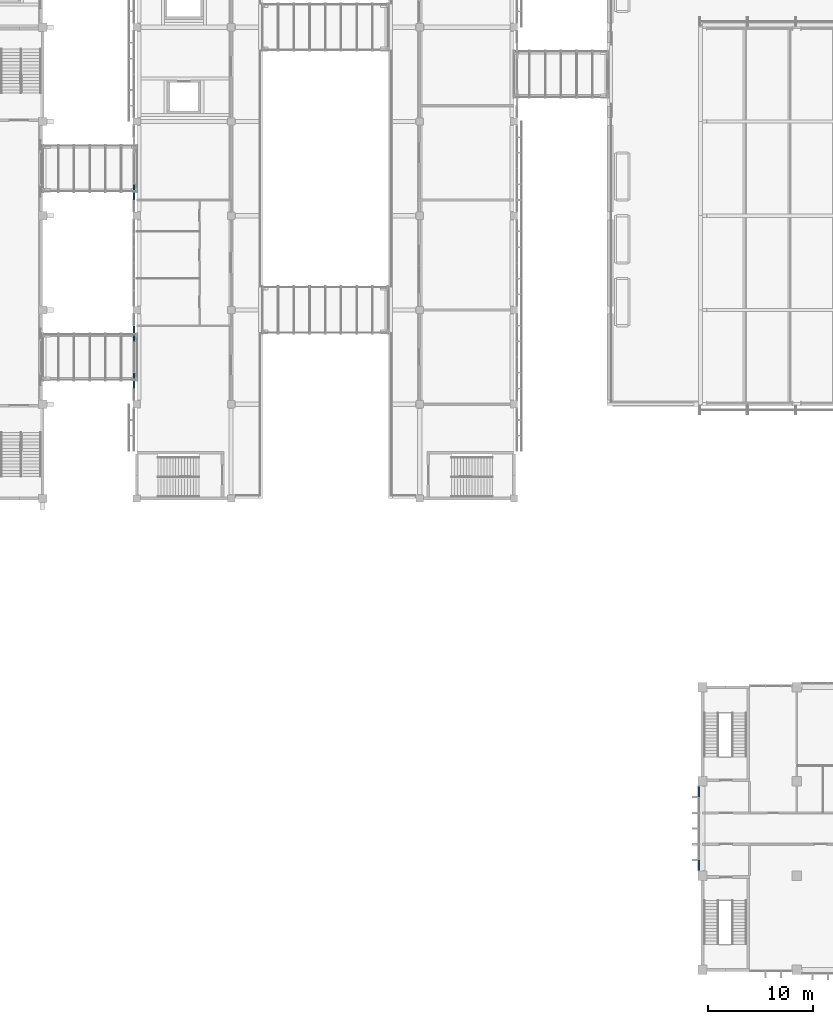
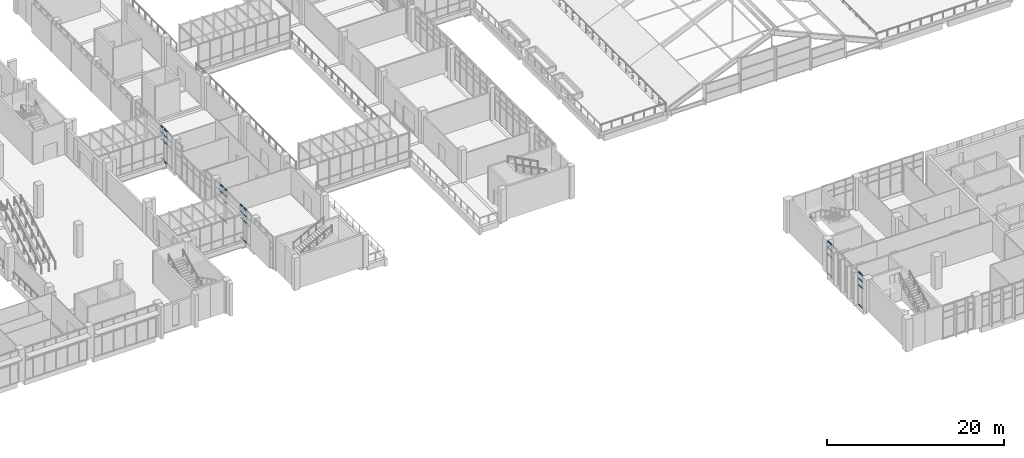
# One storey, part 47 of 106: 32 members, 6 elements without a shape of their own.
"""IFC4 building model written with IfcOpenShell, lengths in metres."""

from ifc_helpers import new_model, si_unit, direction, frame, origin, origin_2d, place, context, subcontext, project, spatial, rectangle, extrude, material, layer, layer_set, material_profile, profile_set, type_object, element, aggregate, save


model = new_model("IFC4")

# Units and contexts
model_context = context("Model", 3, precision=1e-05, world=origin(), true_north=direction((0.0, 1.0)))
body_context = subcontext(model_context, "Body", "Model", "MODEL_VIEW")
ifc_project = project(units=[si_unit("LENGTHUNIT", "METRE"), si_unit("AREAUNIT", "SQUARE_METRE"), si_unit("VOLUMEUNIT", "CUBIC_METRE"), si_unit("PLANEANGLEUNIT", "RADIAN"), si_unit("MASSUNIT", "GRAM", prefix="KILO")], contexts=[model_context])

# Site, building, storey
site_placement = place(None, origin())
site = spatial("IfcSite", under=ifc_project, at=site_placement, CompositionType="ELEMENT")
building_placement = place(site_placement, origin())
building = spatial("IfcBuilding", under=site, at=building_placement, Name="Guidao Yard Department Store", CompositionType="ELEMENT")
storey_placement = place(building_placement, frame((0.0, 0.0, 10.5)))
storey = spatial("IfcBuildingStorey", under=building, at=storey_placement, Name="L02", CompositionType="ELEMENT", Elevation=10.5)

# Curtain wall, members
ifc_material_1 = material(Name="Aluminium and glass", Category="aluminium")
ifc_layer_1 = layer(ifc_material_1, 0.159912109375)
ifc_layer_set_1 = layer_set([ifc_layer_1], Name="Shopfront curtain wall CW1 1500 module")
curtain_wall_type_1 = type_object("IfcCurtainWallType", Name="Shopfront curtain wall CW1 1500 module", PredefinedType="NOTDEFINED", material=ifc_layer_set_1)
curtain_wall_1_placement = place(storey_placement, origin())
curtain_wall_1 = element("IfcCurtainWall", 1, at=curtain_wall_1_placement, inside=storey, type_object=curtain_wall_type_1, Name="Arcade shop front", PredefinedType="NOTDEFINED")
ifc_material_2 = material(Name="Aluminium 6063-T5", Category="aluminium")
ifc_material_profile = material_profile(ifc_material_2, rectangle(XDim=0.1201171875, YDim=0.06005859375, at=origin_2d()), Name="Transom T1 60 x 120 aluminium pressure plate")
ifc_profile_set = profile_set([ifc_material_profile], Name="Aluminium 6063-T5")
member_type = type_object("IfcMemberType", Name="Transom T1 60 x 120 aluminium pressure plate", PredefinedType="USERDEFINED", material=ifc_profile_set)
member_1_placement = place(storey_placement, frame((71.719970703125, 55.530029296875, 0.030029296875), z_axis=(0.0, 1.0, 0.0), x_axis=(-1.0, 0.0, 0.0)))
member_1 = element("IfcMember", 2, at=member_1_placement, type_object=member_type, Name="CW-AS-L02-02 transom 2.1", ObjectType="TRANSOM", PredefinedType="USERDEFINED", context=body_context, shape_type="SweptSolid", body=[
    extrude(rectangle(XDim=0.1201171875, YDim=0.06005859375, at=origin_2d()), origin(), (0.0, 0.0, 1.0), 0.659912109375),
])
member_2_placement = place(storey_placement, frame((71.719970703125, 55.530029296875, 2.699951171875), z_axis=(0.0, 1.0, 0.0), x_axis=(-1.0, 0.0, 0.0)))
member_2 = element("IfcMember", 3, at=member_2_placement, type_object=member_type, Name="CW-AS-L02-02 transom 2.2", ObjectType="TRANSOM", PredefinedType="USERDEFINED", context=body_context, shape_type="SweptSolid", body=[
    extrude(rectangle(XDim=0.1201171875, YDim=0.06005859375, at=origin_2d()), origin(), (0.0, 0.0, 1.0), 0.659912109375),
])
member_3_placement = place(storey_placement, frame((71.719970703125, 55.530029296875, 3.60009765625), z_axis=(0.0, 1.0, 0.0), x_axis=(-1.0, 0.0, 0.0)))
member_3 = element("IfcMember", 4, at=member_3_placement, type_object=member_type, Name="CW-AS-L02-02 transom 2.3", ObjectType="TRANSOM", PredefinedType="USERDEFINED", context=body_context, shape_type="SweptSolid", body=[
    extrude(rectangle(XDim=0.1201171875, YDim=0.06005859375, at=origin_2d()), origin(), (0.0, 0.0, 1.0), 0.659912109375),
])
member_4_placement = place(storey_placement, frame((71.719970703125, 55.530029296875, 4.469970703125), z_axis=(0.0, 1.0, 0.0), x_axis=(-1.0, 0.0, 0.0)))
member_4 = element("IfcMember", 5, at=member_4_placement, type_object=member_type, Name="CW-AS-L02-02 transom 2.4", ObjectType="TRANSOM", PredefinedType="USERDEFINED", context=body_context, shape_type="SweptSolid", body=[
    extrude(rectangle(XDim=0.1201171875, YDim=0.06005859375, at=origin_2d()), origin(), (0.0, 0.0, 1.0), 0.659912109375),
])
aggregate(curtain_wall_1, [member_1, member_2, member_3, member_4])

curtain_wall_2_placement = place(storey_placement, origin())
curtain_wall_2 = element("IfcCurtainWall", 6, at=curtain_wall_2_placement, inside=storey, type_object=curtain_wall_type_1, Name="Arcade shop front", PredefinedType="NOTDEFINED")
member_5_placement = place(storey_placement, frame((71.719970703125, 56.469970703125, 0.030029296875), z_axis=(0.0, 1.0, 0.0), x_axis=(-1.0, 0.0, 0.0)))
member_5 = element("IfcMember", 7, at=member_5_placement, type_object=member_type, Name="CW-AS-L02-03 transom 1.1", ObjectType="TRANSOM", PredefinedType="USERDEFINED", context=body_context, shape_type="SweptSolid", body=[
    extrude(rectangle(XDim=0.1201171875, YDim=0.06005859375, at=origin_2d()), origin(), (0.0, 0.0, 1.0), 0.5),
])
member_6_placement = place(storey_placement, frame((71.719970703125, 56.469970703125, 2.699951171875), z_axis=(0.0, 1.0, 0.0), x_axis=(-1.0, 0.0, 0.0)))
member_6 = element("IfcMember", 8, at=member_6_placement, type_object=member_type, Name="CW-AS-L02-03 transom 1.2", ObjectType="TRANSOM", PredefinedType="USERDEFINED", context=body_context, shape_type="SweptSolid", body=[
    extrude(rectangle(XDim=0.1201171875, YDim=0.06005859375, at=origin_2d()), origin(), (0.0, 0.0, 1.0), 0.5),
])
member_7_placement = place(storey_placement, frame((71.719970703125, 56.469970703125, 3.60009765625), z_axis=(0.0, 1.0, 0.0), x_axis=(-1.0, 0.0, 0.0)))
member_7 = element("IfcMember", 9, at=member_7_placement, type_object=member_type, Name="CW-AS-L02-03 transom 1.3", ObjectType="TRANSOM", PredefinedType="USERDEFINED", context=body_context, shape_type="SweptSolid", body=[
    extrude(rectangle(XDim=0.1201171875, YDim=0.06005859375, at=origin_2d()), origin(), (0.0, 0.0, 1.0), 0.5),
])
member_8_placement = place(storey_placement, frame((71.719970703125, 56.469970703125, 4.469970703125), z_axis=(0.0, 1.0, 0.0), x_axis=(-1.0, 0.0, 0.0)))
member_8 = element("IfcMember", 10, at=member_8_placement, type_object=member_type, Name="CW-AS-L02-03 transom 1.4", ObjectType="TRANSOM", PredefinedType="USERDEFINED", context=body_context, shape_type="SweptSolid", body=[
    extrude(rectangle(XDim=0.1201171875, YDim=0.06005859375, at=origin_2d()), origin(), (0.0, 0.0, 1.0), 0.5),
])
member_9_placement = place(storey_placement, frame((71.719970703125, 60.030029296875, 0.030029296875), z_axis=(0.0, 1.0, 0.0), x_axis=(-1.0, 0.0, 0.0)))
member_9 = element("IfcMember", 11, at=member_9_placement, type_object=member_type, Name="CW-AS-L02-03 transom 3.1", ObjectType="TRANSOM", PredefinedType="USERDEFINED", context=body_context, shape_type="SweptSolid", body=[
    extrude(rectangle(XDim=0.1201171875, YDim=0.06005859375, at=origin_2d()), origin(), (0.0, 0.0, 1.0), 0.5),
])
member_10_placement = place(storey_placement, frame((71.719970703125, 60.030029296875, 2.699951171875), z_axis=(0.0, 1.0, 0.0), x_axis=(-1.0, 0.0, 0.0)))
member_10 = element("IfcMember", 12, at=member_10_placement, type_object=member_type, Name="CW-AS-L02-03 transom 3.2", ObjectType="TRANSOM", PredefinedType="USERDEFINED", context=body_context, shape_type="SweptSolid", body=[
    extrude(rectangle(XDim=0.1201171875, YDim=0.06005859375, at=origin_2d()), origin(), (0.0, 0.0, 1.0), 0.5),
])
member_11_placement = place(storey_placement, frame((71.719970703125, 60.030029296875, 3.60009765625), z_axis=(0.0, 1.0, 0.0), x_axis=(-1.0, 0.0, 0.0)))
member_11 = element("IfcMember", 13, at=member_11_placement, type_object=member_type, Name="CW-AS-L02-03 transom 3.3", ObjectType="TRANSOM", PredefinedType="USERDEFINED", context=body_context, shape_type="SweptSolid", body=[
    extrude(rectangle(XDim=0.1201171875, YDim=0.06005859375, at=origin_2d()), origin(), (0.0, 0.0, 1.0), 0.5),
])
member_12_placement = place(storey_placement, frame((71.719970703125, 60.030029296875, 4.469970703125), z_axis=(0.0, 1.0, 0.0), x_axis=(-1.0, 0.0, 0.0)))
member_12 = element("IfcMember", 14, at=member_12_placement, type_object=member_type, Name="CW-AS-L02-03 transom 3.4", ObjectType="TRANSOM", PredefinedType="USERDEFINED", context=body_context, shape_type="SweptSolid", body=[
    extrude(rectangle(XDim=0.1201171875, YDim=0.06005859375, at=origin_2d()), origin(), (0.0, 0.0, 1.0), 0.5),
])
aggregate(curtain_wall_2, [member_5, member_6, member_7, member_8, member_9, member_10, member_11, member_12])

curtain_wall_3_placement = place(storey_placement, origin())
curtain_wall_3 = element("IfcCurtainWall", 15, at=curtain_wall_3_placement, inside=storey, type_object=curtain_wall_type_1, Name="Arcade shop front", PredefinedType="NOTDEFINED")
member_13_placement = place(storey_placement, frame((71.719970703125, 60.81005859375, 0.030029296875), z_axis=(0.0, 1.0, 0.0), x_axis=(-1.0, 0.0, 0.0)))
member_13 = element("IfcMember", 16, at=member_13_placement, type_object=member_type, Name="CW-AS-L02-04 transom 1.1", ObjectType="TRANSOM", PredefinedType="USERDEFINED", context=body_context, shape_type="SweptSolid", body=[
    extrude(rectangle(XDim=0.1201171875, YDim=0.06005859375, at=origin_2d()), origin(), (0.0, 0.0, 1.0), 0.659912109375),
])
member_14_placement = place(storey_placement, frame((71.719970703125, 60.81005859375, 2.699951171875), z_axis=(0.0, 1.0, 0.0), x_axis=(-1.0, 0.0, 0.0)))
member_14 = element("IfcMember", 17, at=member_14_placement, type_object=member_type, Name="CW-AS-L02-04 transom 1.2", ObjectType="TRANSOM", PredefinedType="USERDEFINED", context=body_context, shape_type="SweptSolid", body=[
    extrude(rectangle(XDim=0.1201171875, YDim=0.06005859375, at=origin_2d()), origin(), (0.0, 0.0, 1.0), 0.659912109375),
])
member_15_placement = place(storey_placement, frame((71.719970703125, 60.81005859375, 3.60009765625), z_axis=(0.0, 1.0, 0.0), x_axis=(-1.0, 0.0, 0.0)))
member_15 = element("IfcMember", 18, at=member_15_placement, type_object=member_type, Name="CW-AS-L02-04 transom 1.3", ObjectType="TRANSOM", PredefinedType="USERDEFINED", context=body_context, shape_type="SweptSolid", body=[
    extrude(rectangle(XDim=0.1201171875, YDim=0.06005859375, at=origin_2d()), origin(), (0.0, 0.0, 1.0), 0.659912109375),
])
member_16_placement = place(storey_placement, frame((71.719970703125, 60.81005859375, 4.469970703125), z_axis=(0.0, 1.0, 0.0), x_axis=(-1.0, 0.0, 0.0)))
member_16 = element("IfcMember", 19, at=member_16_placement, type_object=member_type, Name="CW-AS-L02-04 transom 1.4", ObjectType="TRANSOM", PredefinedType="USERDEFINED", context=body_context, shape_type="SweptSolid", body=[
    extrude(rectangle(XDim=0.1201171875, YDim=0.06005859375, at=origin_2d()), origin(), (0.0, 0.0, 1.0), 0.659912109375),
])
aggregate(curtain_wall_3, [member_13, member_14, member_15, member_16])

curtain_wall_4_placement = place(storey_placement, origin())
curtain_wall_4 = element("IfcCurtainWall", 20, at=curtain_wall_4_placement, inside=storey, type_object=curtain_wall_type_1, Name="Arcade shop front", PredefinedType="NOTDEFINED")
member_17_placement = place(storey_placement, frame((71.719970703125, 73.530029296875, 0.030029296875), z_axis=(0.0, 1.0, 0.0), x_axis=(-1.0, 0.0, 0.0)))
member_17 = element("IfcMember", 21, at=member_17_placement, type_object=member_type, Name="CW-AS-L02-08 transom 2.1", ObjectType="TRANSOM", PredefinedType="USERDEFINED", context=body_context, shape_type="SweptSolid", body=[
    extrude(rectangle(XDim=0.1201171875, YDim=0.06005859375, at=origin_2d()), origin(), (0.0, 0.0, 1.0), 0.659912109375),
])
member_18_placement = place(storey_placement, frame((71.719970703125, 73.530029296875, 2.699951171875), z_axis=(0.0, 1.0, 0.0), x_axis=(-1.0, 0.0, 0.0)))
member_18 = element("IfcMember", 22, at=member_18_placement, type_object=member_type, Name="CW-AS-L02-08 transom 2.2", ObjectType="TRANSOM", PredefinedType="USERDEFINED", context=body_context, shape_type="SweptSolid", body=[
    extrude(rectangle(XDim=0.1201171875, YDim=0.06005859375, at=origin_2d()), origin(), (0.0, 0.0, 1.0), 0.659912109375),
])
member_19_placement = place(storey_placement, frame((71.719970703125, 73.530029296875, 3.60009765625), z_axis=(0.0, 1.0, 0.0), x_axis=(-1.0, 0.0, 0.0)))
member_19 = element("IfcMember", 23, at=member_19_placement, type_object=member_type, Name="CW-AS-L02-08 transom 2.3", ObjectType="TRANSOM", PredefinedType="USERDEFINED", context=body_context, shape_type="SweptSolid", body=[
    extrude(rectangle(XDim=0.1201171875, YDim=0.06005859375, at=origin_2d()), origin(), (0.0, 0.0, 1.0), 0.659912109375),
])
member_20_placement = place(storey_placement, frame((71.719970703125, 73.530029296875, 4.469970703125), z_axis=(0.0, 1.0, 0.0), x_axis=(-1.0, 0.0, 0.0)))
member_20 = element("IfcMember", 24, at=member_20_placement, type_object=member_type, Name="CW-AS-L02-08 transom 2.4", ObjectType="TRANSOM", PredefinedType="USERDEFINED", context=body_context, shape_type="SweptSolid", body=[
    extrude(rectangle(XDim=0.1201171875, YDim=0.06005859375, at=origin_2d()), origin(), (0.0, 0.0, 1.0), 0.659912109375),
])
aggregate(curtain_wall_4, [member_17, member_18, member_19, member_20])

curtain_wall_5_placement = place(storey_placement, origin())
curtain_wall_5 = element("IfcCurtainWall", 25, at=curtain_wall_5_placement, inside=storey, type_object=curtain_wall_type_1, Name="Arcade shop front", PredefinedType="NOTDEFINED")
member_21_placement = place(storey_placement, frame((71.719970703125, 74.469970703125, 0.030029296875), z_axis=(0.0, 1.0, 0.0), x_axis=(-1.0, 0.0, 0.0)))
member_21 = element("IfcMember", 26, at=member_21_placement, type_object=member_type, Name="CW-AS-L02-09 transom 1.1", ObjectType="TRANSOM", PredefinedType="USERDEFINED", context=body_context, shape_type="SweptSolid", body=[
    extrude(rectangle(XDim=0.1201171875, YDim=0.06005859375, at=origin_2d()), origin(), (0.0, 0.0, 1.0), 0.5),
])
member_22_placement = place(storey_placement, frame((71.719970703125, 74.469970703125, 2.699951171875), z_axis=(0.0, 1.0, 0.0), x_axis=(-1.0, 0.0, 0.0)))
member_22 = element("IfcMember", 27, at=member_22_placement, type_object=member_type, Name="CW-AS-L02-09 transom 1.2", ObjectType="TRANSOM", PredefinedType="USERDEFINED", context=body_context, shape_type="SweptSolid", body=[
    extrude(rectangle(XDim=0.1201171875, YDim=0.06005859375, at=origin_2d()), origin(), (0.0, 0.0, 1.0), 0.5),
])
member_23_placement = place(storey_placement, frame((71.719970703125, 74.469970703125, 3.60009765625), z_axis=(0.0, 1.0, 0.0), x_axis=(-1.0, 0.0, 0.0)))
member_23 = element("IfcMember", 28, at=member_23_placement, type_object=member_type, Name="CW-AS-L02-09 transom 1.3", ObjectType="TRANSOM", PredefinedType="USERDEFINED", context=body_context, shape_type="SweptSolid", body=[
    extrude(rectangle(XDim=0.1201171875, YDim=0.06005859375, at=origin_2d()), origin(), (0.0, 0.0, 1.0), 0.5),
])
member_24_placement = place(storey_placement, frame((71.719970703125, 74.469970703125, 4.469970703125), z_axis=(0.0, 1.0, 0.0), x_axis=(-1.0, 0.0, 0.0)))
member_24 = element("IfcMember", 29, at=member_24_placement, type_object=member_type, Name="CW-AS-L02-09 transom 1.4", ObjectType="TRANSOM", PredefinedType="USERDEFINED", context=body_context, shape_type="SweptSolid", body=[
    extrude(rectangle(XDim=0.1201171875, YDim=0.06005859375, at=origin_2d()), origin(), (0.0, 0.0, 1.0), 0.5),
])
aggregate(curtain_wall_5, [member_21, member_22, member_23, member_24])

ifc_material_3 = material(Name="Aluminium and glass", Category="aluminium")
ifc_layer_2 = layer(ifc_material_3, 0.159912109375)
ifc_layer_set_2 = layer_set([ifc_layer_2], Name="Unitised curtain wall CW4 1500 module")
curtain_wall_type_2 = type_object("IfcCurtainWallType", Name="Unitised curtain wall CW4 1500 module", PredefinedType="NOTDEFINED", material=ifc_layer_set_2)
curtain_wall_6_placement = place(storey_placement, origin())
curtain_wall_6 = element("IfcCurtainWall", 30, at=curtain_wall_6_placement, inside=storey, type_object=curtain_wall_type_2, Name="Unitised curtain wall", PredefinedType="NOTDEFINED")
member_25_placement = place(storey_placement, frame((125.669921875, 9.510009765625, 0.030029296875), z_axis=(0.0, 1.0, 0.0), x_axis=(-1.0, 0.0, 0.0)))
member_25 = element("IfcMember", 31, at=member_25_placement, type_object=member_type, Name="CW-OW-L02-05 transom 1.1", ObjectType="TRANSOM", PredefinedType="USERDEFINED", context=body_context, shape_type="SweptSolid", body=[
    extrude(rectangle(XDim=0.1201171875, YDim=0.06005859375, at=origin_2d()), origin(), (0.0, 0.0, 1.0), 0.9599609375),
])
member_26_placement = place(storey_placement, frame((125.669921875, 9.510009765625, 2.699951171875), z_axis=(0.0, 1.0, 0.0), x_axis=(-1.0, 0.0, 0.0)))
member_26 = element("IfcMember", 32, at=member_26_placement, type_object=member_type, Name="CW-OW-L02-05 transom 1.2", ObjectType="TRANSOM", PredefinedType="USERDEFINED", context=body_context, shape_type="SweptSolid", body=[
    extrude(rectangle(XDim=0.1201171875, YDim=0.06005859375, at=origin_2d()), origin(), (0.0, 0.0, 1.0), 0.9599609375),
])
member_27_placement = place(storey_placement, frame((125.669921875, 9.510009765625, 3.60009765625), z_axis=(0.0, 1.0, 0.0), x_axis=(-1.0, 0.0, 0.0)))
member_27 = element("IfcMember", 33, at=member_27_placement, type_object=member_type, Name="CW-OW-L02-05 transom 1.3", ObjectType="TRANSOM", PredefinedType="USERDEFINED", context=body_context, shape_type="SweptSolid", body=[
    extrude(rectangle(XDim=0.1201171875, YDim=0.06005859375, at=origin_2d()), origin(), (0.0, 0.0, 1.0), 0.9599609375),
])
member_28_placement = place(storey_placement, frame((125.669921875, 9.510009765625, 4.469970703125), z_axis=(0.0, 1.0, 0.0), x_axis=(-1.0, 0.0, 0.0)))
member_28 = element("IfcMember", 34, at=member_28_placement, type_object=member_type, Name="CW-OW-L02-05 transom 1.4", ObjectType="TRANSOM", PredefinedType="USERDEFINED", context=body_context, shape_type="SweptSolid", body=[
    extrude(rectangle(XDim=0.1201171875, YDim=0.06005859375, at=origin_2d()), origin(), (0.0, 0.0, 1.0), 0.9599609375),
])
member_29_placement = place(storey_placement, frame((125.669921875, 16.530029296875, 0.030029296875), z_axis=(0.0, 1.0, 0.0), x_axis=(-1.0, 0.0, 0.0)))
member_29 = element("IfcMember", 35, at=member_29_placement, type_object=member_type, Name="CW-OW-L02-05 transom 6.1", ObjectType="TRANSOM", PredefinedType="USERDEFINED", context=body_context, shape_type="SweptSolid", body=[
    extrude(rectangle(XDim=0.1201171875, YDim=0.06005859375, at=origin_2d()), origin(), (0.0, 0.0, 1.0), 0.9599609375),
])
member_30_placement = place(storey_placement, frame((125.669921875, 16.530029296875, 2.699951171875), z_axis=(0.0, 1.0, 0.0), x_axis=(-1.0, 0.0, 0.0)))
member_30 = element("IfcMember", 36, at=member_30_placement, type_object=member_type, Name="CW-OW-L02-05 transom 6.2", ObjectType="TRANSOM", PredefinedType="USERDEFINED", context=body_context, shape_type="SweptSolid", body=[
    extrude(rectangle(XDim=0.1201171875, YDim=0.06005859375, at=origin_2d()), origin(), (0.0, 0.0, 1.0), 0.9599609375),
])
member_31_placement = place(storey_placement, frame((125.669921875, 16.530029296875, 3.60009765625), z_axis=(0.0, 1.0, 0.0), x_axis=(-1.0, 0.0, 0.0)))
member_31 = element("IfcMember", 37, at=member_31_placement, type_object=member_type, Name="CW-OW-L02-05 transom 6.3", ObjectType="TRANSOM", PredefinedType="USERDEFINED", context=body_context, shape_type="SweptSolid", body=[
    extrude(rectangle(XDim=0.1201171875, YDim=0.06005859375, at=origin_2d()), origin(), (0.0, 0.0, 1.0), 0.9599609375),
])
member_32_placement = place(storey_placement, frame((125.669921875, 16.530029296875, 4.469970703125), z_axis=(0.0, 1.0, 0.0), x_axis=(-1.0, 0.0, 0.0)))
member_32 = element("IfcMember", 38, at=member_32_placement, type_object=member_type, Name="CW-OW-L02-05 transom 6.4", ObjectType="TRANSOM", PredefinedType="USERDEFINED", context=body_context, shape_type="SweptSolid", body=[
    extrude(rectangle(XDim=0.1201171875, YDim=0.06005859375, at=origin_2d()), origin(), (0.0, 0.0, 1.0), 0.9599609375),
])
aggregate(curtain_wall_6, [member_25, member_26, member_27, member_28, member_29, member_30, member_31, member_32])

save(model, "model.ifc")
